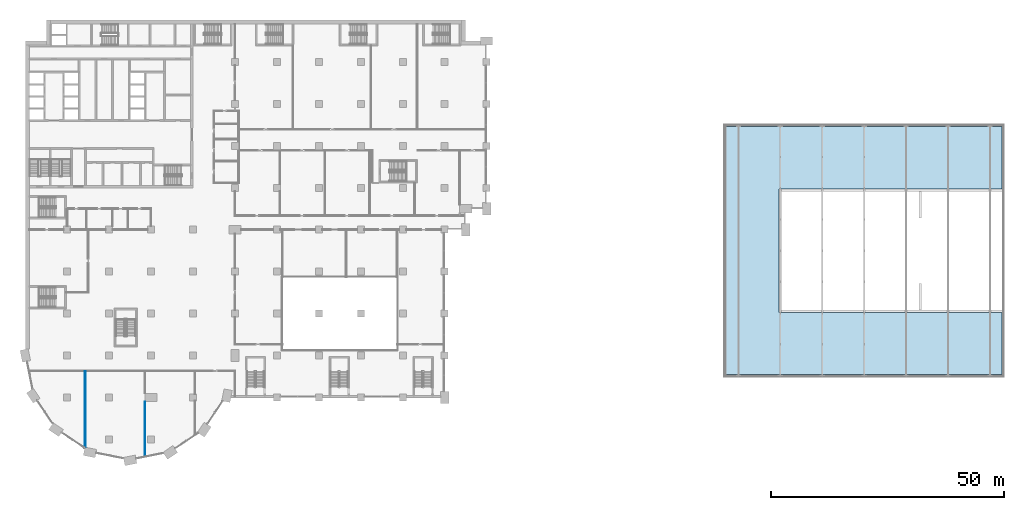
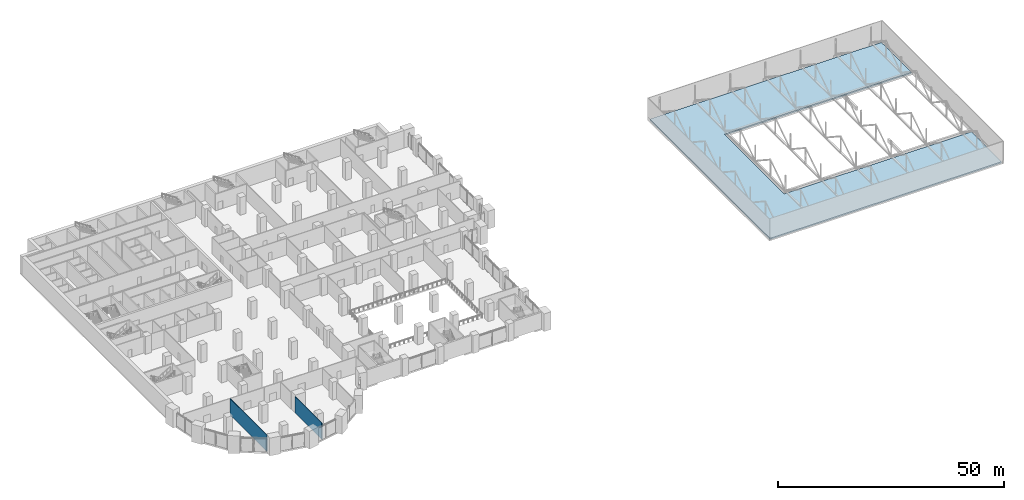
# One storey, part 22 of 49: 2 walls, 1 slab.
"""IFC4 building model written with IfcOpenShell, lengths in metres."""

from ifc_helpers import new_model, si_unit, direction, frame, frame_2d, origin, place, context, subcontext, project, spatial, polyline, rectangle, outline, extrude, material, layer, layer_set, type_object, element, save


model = new_model("IFC4")

# Units and contexts
model_context = context("Model", 3, precision=1e-05, world=origin(), true_north=direction((0.0, 1.0)))
body_context = subcontext(model_context, "Body", "Model", "MODEL_VIEW")
ifc_project = project(units=[si_unit("LENGTHUNIT", "METRE"), si_unit("AREAUNIT", "SQUARE_METRE"), si_unit("VOLUMEUNIT", "CUBIC_METRE"), si_unit("PLANEANGLEUNIT", "RADIAN"), si_unit("MASSUNIT", "GRAM", prefix="KILO")], contexts=[model_context])

# Site, building, storey
site_placement = place(None, origin())
site = spatial("IfcSite", under=ifc_project, at=site_placement, CompositionType="ELEMENT")
building_placement = place(site_placement, origin())
building = spatial("IfcBuilding", under=site, at=building_placement, Name="Hunhe Ridgeline Campus", CompositionType="ELEMENT")
storey_placement = place(building_placement, frame((0.0, 0.0, 21.60009765625)))
storey = spatial("IfcBuildingStorey", under=building, at=storey_placement, Name="L04", CompositionType="ELEMENT", Elevation=21.60009765625)

# Slab
ifc_material_1 = material(Name="Concrete C40", Category="concrete")
ifc_layer_1 = layer(ifc_material_1, 0.35009765625)
ifc_layer_set_1 = layer_set([ifc_layer_1], Name="Hall plant deck slab 350 C40")
slab_type = type_object("IfcSlabType", Name="Hall plant deck slab 350 C40", PredefinedType="ROOF", material=ifc_layer_set_1)
slab_placement = place(storey_placement, frame((0.0, 0.0, -0.35009765625)))
element("IfcSlab", 1, at=slab_placement, inside=storey, type_object=slab_type, Name="Hall plant deck slab 1", PredefinedType="ROOF", context=body_context, shape_type="SweptSolid", body=[
    extrude(outline(polyline([(209.60009765625, 22.89990234375), (209.60009765625, 36.25), (161.75, 36.25), (161.75, 62.75), (209.60009765625, 62.75), (209.60009765625, 76.10009765625), (150.39990234375, 76.10009765625), (150.39990234375, 22.89990234375), (209.60009765625, 22.89990234375)])), origin(), (0.0, 0.0, 1.0), 0.35009765625),
])

# Walls
ifc_material_2 = material(Name="Plastered blockwork", Category="masonry")
ifc_layer_2 = layer(ifc_material_2, 0.14990234375)
ifc_layer_set_2 = layer_set([ifc_layer_2], Name="Blockwork partition 150")
wall_type = type_object("IfcWallType", Name="Blockwork partition 150", PredefinedType="PARTITIONING", material=ifc_layer_set_2)
wall_1_placement = place(storey_placement, frame((12.85693359375, 7.335693359375, 0.0), z_axis=(0.0, 0.0, 1.0), x_axis=(0.0, 1.0, 0.0)))
element("IfcWall", 2, at=wall_1_placement, inside=storey, type_object=wall_type, Name="L04 partition", PredefinedType="PARTITIONING", context=body_context, shape_type="SweptSolid", body=[
    extrude(rectangle(XDim=16.289306640625, YDim=0.14990234375, at=frame_2d((8.14453125, 0.0))), origin(), (0.0, 0.0, 1.0), 4.449951171875),
])
wall_2_placement = place(storey_placement, frame((25.714111328125, 5.324951171875, 0.0), z_axis=(0.0, 0.0, 1.0), x_axis=(0.0, 1.0, 0.0)))
element("IfcWall", 3, at=wall_2_placement, inside=storey, type_object=wall_type, Name="L04 partition", PredefinedType="PARTITIONING", context=body_context, shape_type="SweptSolid", body=[
    extrude(rectangle(XDim=11.775146484375, YDim=0.14990234375, at=frame_2d((5.8876953125, 0.0))), origin(), (0.0, 0.0, 1.0), 4.449951171875),
])

save(model, "model.ifc")
